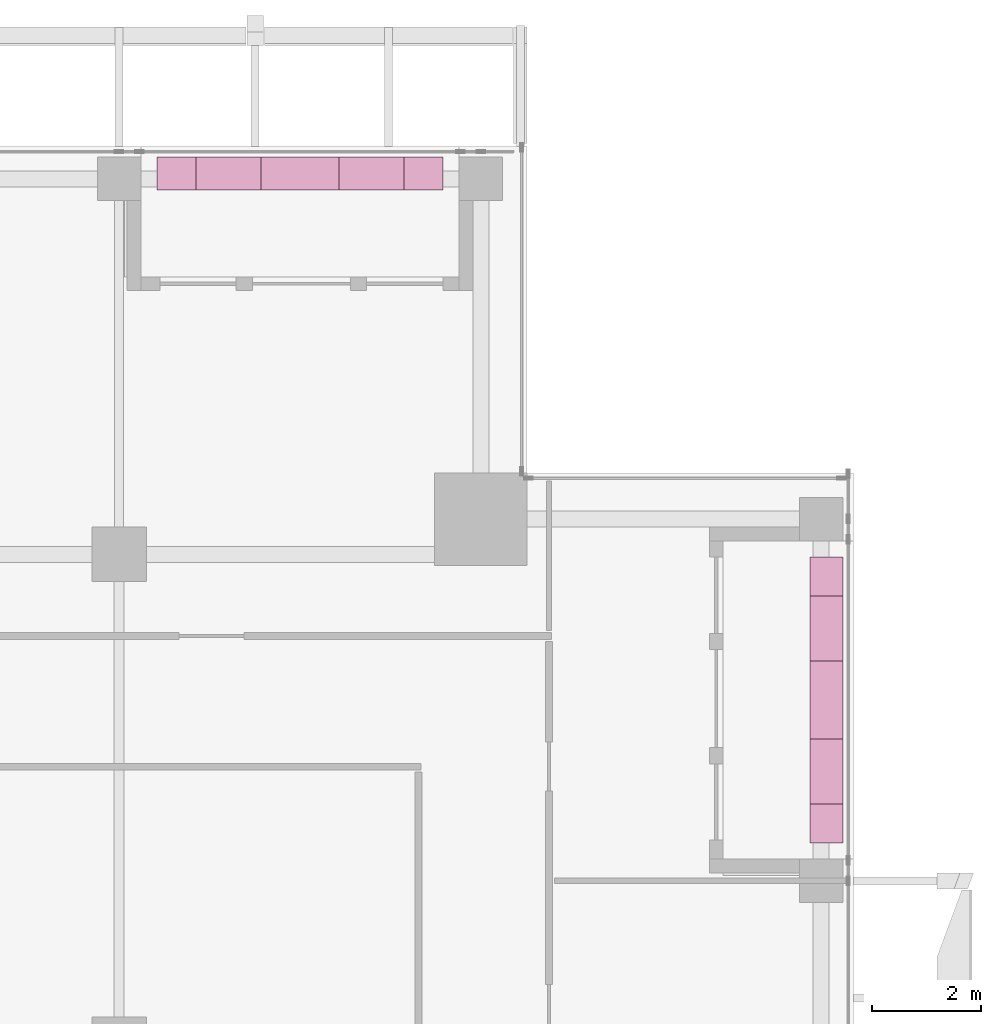
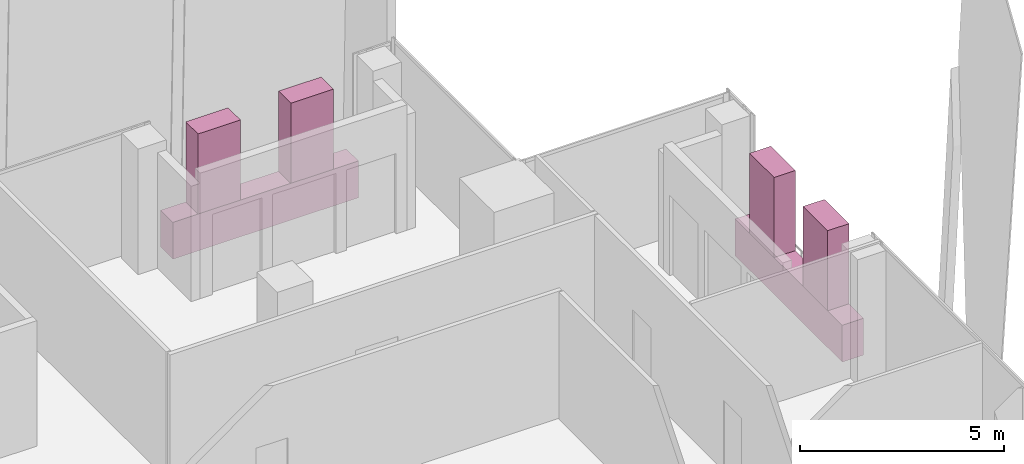
# One storey, part 33 of 33: 6 furnishings.
"""IFC4 building model written with IfcOpenShell, lengths in metres."""

import ifcopenshell
import ifcopenshell.guid

model = None  # the IFC model being written
_history = None  # IfcOwnerHistory: only IFC2X3 demands one
_inside = {}  # id of a spatial element -> (the spatial element, [elements in it])
_under = {}  # id of a project, library or spatial element -> (it, [spatial elements below it])
_declared = {}  # id of a project -> (the project, [libraries it declares])
_typed = {}  # id of a type object -> (the type object, [elements of that type])
_made_of = {}  # id of a material, layer set ... -> (it, [elements and type objects made of it])


def new_model(schema):
    """Start an empty IFC model of exactly this schema.

    Asked for "IFC4X3", IfcOpenShell would pick the latest addendum, in which some entities
    have other attributes; the version numbers below select the first issue.
    IFC2X3 requires an IfcOwnerHistory on every rooted entity: one is made here for all.
    """
    global model, _history
    if schema == "IFC4X3":
        model = ifcopenshell.file(schema_version=(4, 3, 0, 0))
    else:
        model = ifcopenshell.file(schema=schema)
    _inside.clear()
    _under.clear()
    _declared.clear()
    _typed.clear()
    _made_of.clear()
    _history = None
    if model.schema == "IFC2X3":
        org = make("IfcOrganization", Name="unknown")
        user = make(
            "IfcPersonAndOrganization",
            ThePerson=make("IfcPerson", FamilyName="unknown"),
            TheOrganization=org,
        )
        app = make(
            "IfcApplication",
            ApplicationDeveloper=org,
            Version="unknown",
            ApplicationFullName="unknown",
            ApplicationIdentifier="unknown",
        )
        _history = make(
            "IfcOwnerHistory",
            OwningUser=user,
            OwningApplication=app,
            ChangeAction="ADDED",
            CreationDate=0,
        )
    return model


def make(cls, **values):
    """One entity of the class cls with the attributes given. An attribute that is None is left unset."""
    return model.create_entity(
        cls, **{name: value for name, value in values.items() if value is not None}
    )


def rooted(cls, **values):
    """An entity with a GlobalId (a new one), such as an element, a storey or a relation."""
    return make(cls, GlobalId=ifcopenshell.guid.new(), OwnerHistory=_history, **values)


def si_unit(unit_type, name, prefix=None):
    """IfcSIUnit, for example si_unit("LENGTHUNIT", "METRE", prefix="MILLI")."""
    return make("IfcSIUnit", UnitType=unit_type, Prefix=prefix, Name=name)


def assignment(units):
    """IfcUnitAssignment: the units of a project."""
    return None if units is None else make("IfcUnitAssignment", Units=units)


def point(xyz):
    """IfcCartesianPoint."""
    return None if xyz is None else make("IfcCartesianPoint", Coordinates=xyz)


def direction(xyz):
    """IfcDirection."""
    return None if xyz is None else make("IfcDirection", DirectionRatios=xyz)


def frame(location, z_axis=None, x_axis=None):
    """IfcAxis2Placement3D, a coordinate frame: its origin and axes. An axis left out is left unset."""
    return make(
        "IfcAxis2Placement3D",
        Location=point(location),
        Axis=direction(z_axis),
        RefDirection=direction(x_axis),
    )


def frame_2d(location, x_axis=None):
    """IfcAxis2Placement2D, a coordinate frame in the plane: its origin and x axis."""
    return make(
        "IfcAxis2Placement2D", Location=point(location), RefDirection=direction(x_axis)
    )


def origin():
    """The frame at (0, 0, 0) with its axes left unset."""
    return frame((0.0, 0.0, 0.0))


def origin_2d():
    """The frame at (0, 0) in the plane with its x axis left unset."""
    return frame_2d((0.0, 0.0))


def place(relative_to, where):
    """IfcLocalPlacement: puts the frame where relative to a parent placement (None: the world)."""
    return make(
        "IfcLocalPlacement", PlacementRelTo=relative_to, RelativePlacement=where
    )


def context(
    kind, dimensions, precision=None, world=None, true_north=None, identifier=None
):
    """IfcGeometricRepresentationContext, for example the 3D "Model" context."""
    return make(
        "IfcGeometricRepresentationContext",
        ContextIdentifier=identifier,
        ContextType=kind,
        CoordinateSpaceDimension=dimensions,
        Precision=precision,
        WorldCoordinateSystem=world,
        TrueNorth=true_north,
    )


def subcontext(parent, identifier, kind, view, scale=None):
    """IfcGeometricRepresentationSubContext, for example "Body" below "Model"."""
    return make(
        "IfcGeometricRepresentationSubContext",
        ContextIdentifier=identifier,
        ContextType=kind,
        ParentContext=parent,
        TargetScale=scale,
        TargetView=view,
    )


def project(units=None, contexts=None):
    """IfcProject with its units and contexts."""
    return rooted(
        "IfcProject",
        Name="project",
        RepresentationContexts=contexts,
        UnitsInContext=assignment(units),
    )


def spatial(cls, under=None, at=None, **own):
    """A site, building, storey or space (cls), placed at a placement, below another one or the project."""
    s = rooted(cls, ObjectPlacement=at, **own)
    if under is not None:
        _under.setdefault(under.id(), (under, []))[1].append(s)
    return s


def profile(cls, at=None, kind="AREA", **sizes):
    """A parametric profile (cls). Its sizes go by their IFC names, for example OverallWidth=200.0."""
    return make(cls, ProfileType=kind, Position=at, **sizes)


def rectangle(**sizes):
    """IfcRectangleProfileDef."""
    return profile("IfcRectangleProfileDef", **sizes)


def extrude(swept, where, along, depth):
    """IfcExtrudedAreaSolid: the profile swept, set in the frame where, extruded along a direction by depth."""
    return make(
        "IfcExtrudedAreaSolid",
        SweptArea=swept,
        Position=where,
        ExtrudedDirection=direction(along),
        Depth=depth,
    )


def shape(context_of_items, identifier, shape_type, items):
    """IfcShapeRepresentation: the items that make up one representation, for example the "Body"."""
    return make(
        "IfcShapeRepresentation",
        ContextOfItems=context_of_items,
        RepresentationIdentifier=identifier,
        RepresentationType=shape_type,
        Items=items,
    )


def source(mapping_origin, context_of_items, identifier, shape_type, items):
    """IfcRepresentationMap: a shape defined once, which mapped items show again and again."""
    return make(
        "IfcRepresentationMap",
        MappingOrigin=mapping_origin,
        MappedRepresentation=shape(context_of_items, identifier, shape_type, items),
    )


def transform(
    local_origin,
    x_axis=None,
    y_axis=None,
    z_axis=None,
    scale=None,
    scale2=None,
    scale3=None,
    uniform=True,
):
    """IfcCartesianTransformationOperator3D, or its non-uniform kind. x_axis, y_axis, z_axis: its Axis1, 2, 3."""
    if uniform:
        return make(
            "IfcCartesianTransformationOperator3D",
            Axis1=direction(x_axis),
            Axis2=direction(y_axis),
            LocalOrigin=point(local_origin),
            Scale=scale,
            Axis3=direction(z_axis),
        )
    return make(
        "IfcCartesianTransformationOperator3DnonUniform",
        Axis1=direction(x_axis),
        Axis2=direction(y_axis),
        LocalOrigin=point(local_origin),
        Scale=scale,
        Axis3=direction(z_axis),
        Scale2=scale2,
        Scale3=scale3,
    )


def mapped(mapping_source, mapping_target):
    """IfcMappedItem: shows the shape of a source again, moved by a transform."""
    return make(
        "IfcMappedItem", MappingSource=mapping_source, MappingTarget=mapping_target
    )


def material(Name=None, Category=None):
    """IfcMaterial."""
    return make("IfcMaterial", Name=Name, Category=Category)


def made_of(thing, what):
    """Note that an element or type object is made of a material, layer set ...; save() writes the relation."""
    if what is not None:
        _made_of.setdefault(what.id(), (what, []))[1].append(thing)
    return thing


def type_object(cls, material=None, **own):
    """A type object (cls), such as IfcWallType, which elements share."""
    return made_of(rooted(cls, **own), material)


def element(
    cls,
    number,
    at=None,
    inside=None,
    cuts=None,
    type_object=None,
    material=None,
    context=None,
    identifier="Body",
    shape_type=None,
    held_by="IfcProductDefinitionShape",
    body=None,
    shapes=None,
    **own,
):
    """One element of the class cls, such as IfcWall. Its Tag is "e" and its number.

    at: its placement. inside: the storey or other place that contains it. cuts: it is an
    opening in that element (IfcRelVoidsElement). A single representation is given by context,
    identifier, shape_type and body (its items); several are given by shapes. held_by: the class
    of the entity that holds the representations. save() writes the other relations.
    """
    e = rooted(cls, Tag="e%d" % number, ObjectPlacement=at, **own)
    if body is not None:
        shapes = [shape(context, identifier, shape_type, body)]
    if shapes is not None:
        e.Representation = make(held_by, Representations=shapes)
    if inside is not None:
        _inside.setdefault(inside.id(), (inside, []))[1].append(e)
    if cuts is not None:
        rooted(
            "IfcRelVoidsElement", RelatingBuildingElement=cuts, RelatedOpeningElement=e
        )
    if type_object is not None:
        _typed.setdefault(type_object.id(), (type_object, []))[1].append(e)
    return made_of(e, material)


def aggregate(whole, parts):
    """IfcRelAggregates: a whole, such as a stair, and the parts it consists of."""
    return rooted("IfcRelAggregates", RelatingObject=whole, RelatedObjects=parts)


def save(model, path):
    """Write the relations noted so far, then the file.

    IfcRelAggregates (storeys below a building ...), IfcRelContainedInSpatialStructure (elements
    in a storey), IfcRelDefinesByType, IfcRelAssociatesMaterial and IfcRelDeclares: one each for
    every whole, place, type object, material and project.
    """
    for whole, parts in _under.values():
        aggregate(whole, parts)
    for where, things in _inside.values():
        rooted(
            "IfcRelContainedInSpatialStructure",
            RelatedElements=things,
            RelatingStructure=where,
        )
    for kind, things in _typed.values():
        rooted("IfcRelDefinesByType", RelatedObjects=things, RelatingType=kind)
    for what, things in _made_of.values():
        rooted("IfcRelAssociatesMaterial", RelatedObjects=things, RelatingMaterial=what)
    for by, libraries in _declared.values():
        rooted("IfcRelDeclares", RelatingContext=by, RelatedDefinitions=libraries)
    model.write(path)


model = new_model("IFC4")

# Units and contexts
model_context = context("Model", 3, precision=1e-05, world=origin(), true_north=direction((0.0, 1.0)))
body_context = subcontext(model_context, "Body", "Model", "MODEL_VIEW")
ifc_project = project(units=[si_unit("LENGTHUNIT", "METRE"), si_unit("AREAUNIT", "SQUARE_METRE"), si_unit("VOLUMEUNIT", "CUBIC_METRE"), si_unit("PLANEANGLEUNIT", "RADIAN"), si_unit("MASSUNIT", "GRAM", prefix="KILO")], contexts=[model_context])

# Site, building, storey
site_placement = place(None, origin())
site = spatial("IfcSite", under=ifc_project, at=site_placement, CompositionType="ELEMENT")
building_placement = place(site_placement, origin())
building = spatial("IfcBuilding", under=site, at=building_placement, Name="Khomas Fold Tower", CompositionType="ELEMENT")
storey_placement = place(building_placement, frame((0.0, 0.0, 294.199951171875)))
storey = spatial("IfcBuildingStorey", under=building, at=storey_placement, Name="L66", CompositionType="ELEMENT", Elevation=294.199951171875)

# Furnishings
ifc_material_1 = material(Name="Planting")
furnishing_element_type_1 = type_object("IfcFurnishingElementType", Name="BL-Tree Karee", material=ifc_material_1)
shared_shape_1 = source(origin(), body_context, "Body", "SweptSolid", [
    extrude(rectangle(XDim=1.199951171875, YDim=0.60009765625, at=origin_2d()), origin(), (0.0, 0.0, 1.0), 2.39501953125),
])
furnishing_1_placement = place(storey_placement, frame((36.512451171875, 47.5, 1.054931640625), z_axis=(0.0, 0.0, 1.0), x_axis=(1.0, 0.0, 0.0)))
element("IfcFurnishingElement", 1, at=furnishing_1_placement, inside=storey, type_object=furnishing_element_type_1, Name="PLANTER (TREE) Karee BAL-L66-N4-1", context=body_context, shape_type="MappedRepresentation", body=[
    mapped(shared_shape_1, transform((0.0, 0.0, 0.0))),
])
ifc_material_2 = material(Name="Planting")
furnishing_element_type_2 = type_object("IfcFurnishingElementType", Name="BL-Tree Wild olive", material=ifc_material_2)
furnishing_2_placement = place(storey_placement, frame((39.137451171875, 47.5, 1.054931640625), z_axis=(0.0, 0.0, 1.0), x_axis=(1.0, 0.0, 0.0)))
element("IfcFurnishingElement", 2, at=furnishing_2_placement, inside=storey, type_object=furnishing_element_type_2, Name="PLANTER (TREE) Wild olive BAL-L66-N4-2", context=body_context, shape_type="MappedRepresentation", body=[
    mapped(shared_shape_1, transform((0.0, 0.0, 0.0))),
])
furnishing_3_placement = place(storey_placement, frame((47.5, 36.512451171875, 1.054931640625), z_axis=(0.0, 0.0, 1.0), x_axis=(0.0, 1.0, 0.0)))
element("IfcFurnishingElement", 3, at=furnishing_3_placement, inside=storey, type_object=furnishing_element_type_1, Name="PLANTER (TREE) Karee BAL-L66-E4-1", context=body_context, shape_type="MappedRepresentation", body=[
    mapped(shared_shape_1, transform((0.0, 0.0, 0.0))),
])
furnishing_4_placement = place(storey_placement, frame((47.5, 39.137451171875, 1.054931640625), z_axis=(0.0, 0.0, 1.0), x_axis=(0.0, 1.0, 0.0)))
element("IfcFurnishingElement", 4, at=furnishing_4_placement, inside=storey, type_object=furnishing_element_type_2, Name="PLANTER (TREE) Wild olive BAL-L66-E4-2", context=body_context, shape_type="MappedRepresentation", body=[
    mapped(shared_shape_1, transform((0.0, 0.0, 0.0))),
])
ifc_material_3 = material(Name="Precast concrete C40/50", Category="concrete")
furnishing_element_type_3 = type_object("IfcFurnishingElementType", Name="BL-Structural planter box", material=ifc_material_3)
shared_shape_2 = source(origin(), body_context, "Body", "SweptSolid", [
    extrude(rectangle(XDim=5.25, YDim=0.60009765625, at=origin_2d()), origin(), (0.0, 0.0, 1.0), 1.10009765625),
])
for number, where, z_axis, x_axis, name in (
    (5, (37.824951171875, 47.5, -0.044921875), (0.0, 0.0, 1.0), (1.0, 0.0, 0.0), "PLANTER BAL-L66-N4"),
    (6, (47.5, 37.824951171875, -0.044921875), (0.0, 0.0, 1.0), (0.0, 1.0, 0.0), "PLANTER BAL-L66-E4"),
):
    element("IfcFurnishingElement", number, at=place(storey_placement, frame(where, z_axis=z_axis, x_axis=x_axis)), inside=storey, type_object=furnishing_element_type_3, Name=name, context=body_context, shape_type="MappedRepresentation", body=[
        mapped(shared_shape_2, transform((0.0, 0.0, 0.0))),
    ])

save(model, "model.ifc")
